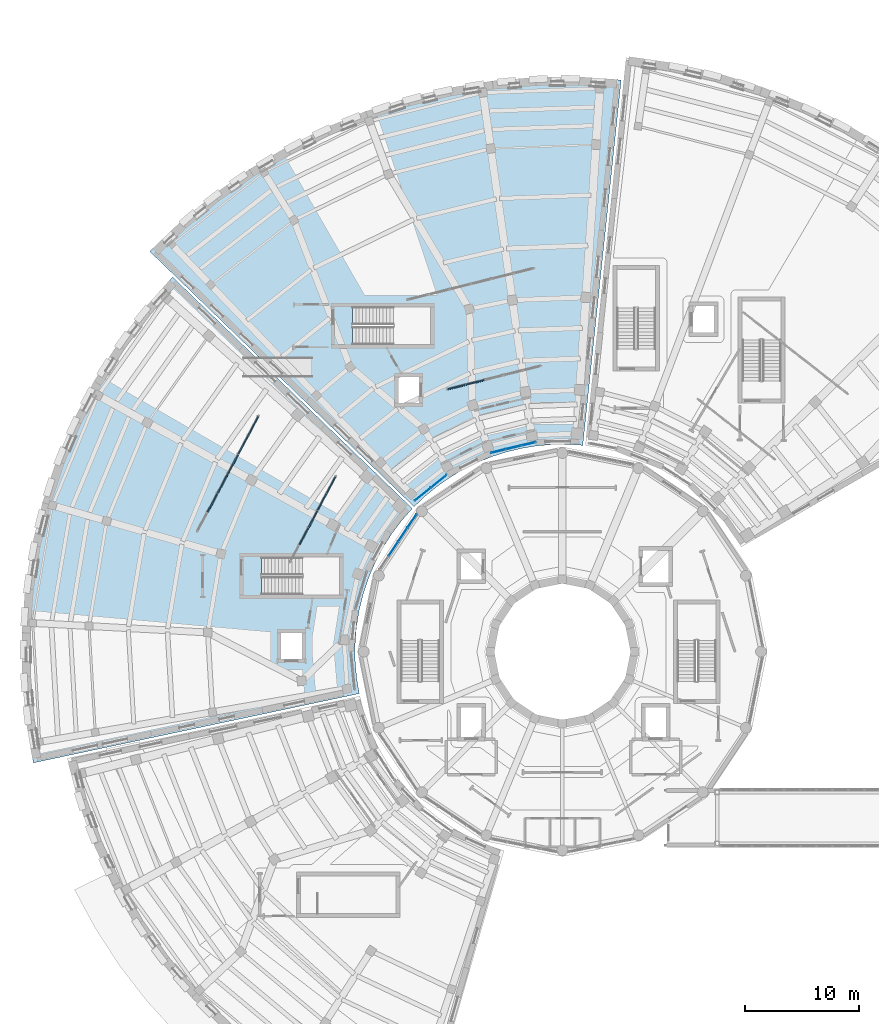
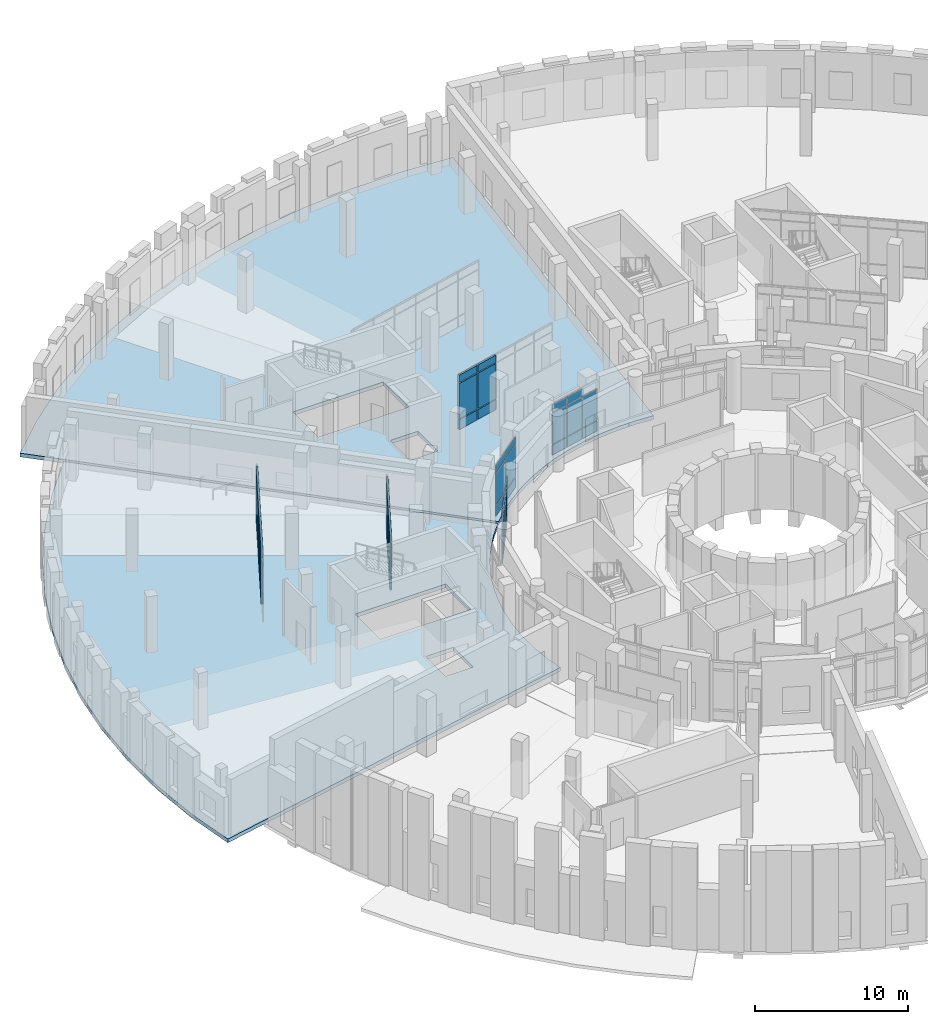
# One storey, part 53 of 89: 56 plates, 2 slabs, 6 elements without a shape of their own.
"""IFC4 building model written with IfcOpenShell, lengths in metres."""

from ifc_helpers import new_model, si_unit, direction, frame, origin, origin_2d, place, context, subcontext, project, spatial, polyline, rectangle, outline, extrude, material, layer, layer_set, type_object, element, aggregate, save


model = new_model("IFC4")

# Units and contexts
model_context = context("Model", 3, precision=1e-05, world=origin(), true_north=direction((0.0, 1.0)))
body_context = subcontext(model_context, "Body", "Model", "MODEL_VIEW")
ifc_project = project(units=[si_unit("LENGTHUNIT", "METRE"), si_unit("AREAUNIT", "SQUARE_METRE"), si_unit("VOLUMEUNIT", "CUBIC_METRE"), si_unit("PLANEANGLEUNIT", "RADIAN"), si_unit("MASSUNIT", "GRAM", prefix="KILO")], contexts=[model_context])

# Site, building, storey
site_placement = place(None, origin())
site = spatial("IfcSite", under=ifc_project, at=site_placement, CompositionType="ELEMENT")
building_placement = place(site_placement, origin())
building = spatial("IfcBuilding", under=site, at=building_placement, Name="Soyqirgoq Riverine Aquarium", CompositionType="ELEMENT")
storey_placement = place(building_placement, frame((0.0, 0.0, 5.39990234375)))
storey = spatial("IfcBuildingStorey", under=building, at=storey_placement, Name="L02", CompositionType="ELEMENT", Elevation=5.39990234375)

# Curtain wall, plates
ifc_material_1 = material(Name="Cast polymethyl methacrylate PMMA Habitat Viewing Glazing", Category="glass")
curtain_wall_type_1 = type_object("IfcCurtainWallType", Name="CW_Interior_TankVitrine", PredefinedType="NOTDEFINED", material=ifc_material_1)
curtain_wall_1_placement = place(storey_placement, origin())
curtain_wall_1 = element("IfcCurtainWall", 1, at=curtain_wall_1_placement, inside=storey, type_object=curtain_wall_type_1, Name="V3 L02 Curtain Wall 149", PredefinedType="NOTDEFINED")
ifc_material_2 = material(Name="Cast polymethyl methacrylate PMMA", Category="glass")
ifc_layer_1 = layer(ifc_material_2, 0.1201171875)
ifc_layer_set_1 = layer_set([ifc_layer_1], Name="Cast polymethyl methacrylate PMMA")
plate_type_1 = type_object("IfcPlateType", Name="CWAcrylicPanel_120", PredefinedType="CURTAIN_PANEL", material=ifc_layer_set_1)
plate_1_placement = place(storey_placement, frame((35.684326171875, 71.653564453125, 0.074951171875), z_axis=(0.0, 0.0, 1.0), x_axis=(-0.469472953199, -0.882946853562, 0.0)))
plate_1 = element("IfcPlate", 2, at=plate_1_placement, type_object=plate_type_1, Name="CW-07 panel 1.1", PredefinedType="CURTAIN_PANEL", context=body_context, shape_type="SweptSolid", body=[
    extrude(rectangle(XDim=1.59033203125, YDim=0.1201171875, at=origin_2d()), origin(), (0.0, 0.0, 1.0), 0.78759765625),
])
plate_2_placement = place(storey_placement, frame((35.684326171875, 71.653564453125, 0.9375), z_axis=(0.0, 0.0, 1.0), x_axis=(-0.469472953199, -0.882946853562, 0.0)))
plate_2 = element("IfcPlate", 3, at=plate_2_placement, type_object=plate_type_1, Name="CW-07 panel 1.2", PredefinedType="CURTAIN_PANEL", context=body_context, shape_type="SweptSolid", body=[
    extrude(rectangle(XDim=1.59033203125, YDim=0.1201171875, at=origin_2d()), origin(), (0.0, 0.0, 1.0), 2.844970703125),
])
plate_3_placement = place(storey_placement, frame((35.684326171875, 71.653564453125, 3.857666015625), z_axis=(0.0, 0.0, 1.0), x_axis=(-0.469472953199, -0.882946853562, 0.0)))
plate_3 = element("IfcPlate", 4, at=plate_3_placement, type_object=plate_type_1, Name="CW-07 panel 1.3", PredefinedType="CURTAIN_PANEL", context=body_context, shape_type="SweptSolid", body=[
    extrude(rectangle(XDim=1.59033203125, YDim=0.1201171875, at=origin_2d()), origin(), (0.0, 0.0, 1.0), 0.58740234375),
])
plate_4_placement = place(storey_placement, frame((34.890625, 70.1611328125, 0.074951171875), z_axis=(0.0, 0.0, 1.0), x_axis=(-0.469472953199, -0.882946853562, 0.0)))
plate_4 = element("IfcPlate", 5, at=plate_4_placement, type_object=plate_type_1, Name="CW-07 panel 2.1", PredefinedType="CURTAIN_PANEL", context=body_context, shape_type="SweptSolid", body=[
    extrude(rectangle(XDim=1.63037109375, YDim=0.1201171875, at=origin_2d()), origin(), (0.0, 0.0, 1.0), 0.78759765625),
])
plate_5_placement = place(storey_placement, frame((34.890625, 70.1611328125, 0.9375), z_axis=(0.0, 0.0, 1.0), x_axis=(-0.469472953199, -0.882946853562, 0.0)))
plate_5 = element("IfcPlate", 6, at=plate_5_placement, type_object=plate_type_1, Name="CW-07 panel 2.2", PredefinedType="CURTAIN_PANEL", context=body_context, shape_type="SweptSolid", body=[
    extrude(rectangle(XDim=1.63037109375, YDim=0.1201171875, at=origin_2d()), origin(), (0.0, 0.0, 1.0), 2.844970703125),
])
plate_6_placement = place(storey_placement, frame((34.890625, 70.1611328125, 3.857666015625), z_axis=(0.0, 0.0, 1.0), x_axis=(-0.469472953199, -0.882946853562, 0.0)))
plate_6 = element("IfcPlate", 7, at=plate_6_placement, type_object=plate_type_1, Name="CW-07 panel 2.3", PredefinedType="CURTAIN_PANEL", context=body_context, shape_type="SweptSolid", body=[
    extrude(rectangle(XDim=1.63037109375, YDim=0.1201171875, at=origin_2d()), origin(), (0.0, 0.0, 1.0), 0.58740234375),
])
plate_7_placement = place(storey_placement, frame((34.087646484375, 68.65087890625, 0.074951171875), z_axis=(0.0, 0.0, 1.0), x_axis=(-0.469472953199, -0.882946853562, 0.0)))
plate_7 = element("IfcPlate", 8, at=plate_7_placement, type_object=plate_type_1, Name="CW-07 panel 3.1", PredefinedType="CURTAIN_PANEL", context=body_context, shape_type="SweptSolid", body=[
    extrude(rectangle(XDim=1.63037109375, YDim=0.1201171875, at=origin_2d()), origin(), (0.0, 0.0, 1.0), 0.78759765625),
])
plate_8_placement = place(storey_placement, frame((34.087646484375, 68.65087890625, 0.9375), z_axis=(0.0, 0.0, 1.0), x_axis=(-0.469472953199, -0.882946853562, 0.0)))
plate_8 = element("IfcPlate", 9, at=plate_8_placement, type_object=plate_type_1, Name="CW-07 panel 3.2", PredefinedType="CURTAIN_PANEL", context=body_context, shape_type="SweptSolid", body=[
    extrude(rectangle(XDim=1.63037109375, YDim=0.1201171875, at=origin_2d()), origin(), (0.0, 0.0, 1.0), 2.844970703125),
])
plate_9_placement = place(storey_placement, frame((34.087646484375, 68.65087890625, 3.857666015625), z_axis=(0.0, 0.0, 1.0), x_axis=(-0.469472953199, -0.882946853562, 0.0)))
plate_9 = element("IfcPlate", 10, at=plate_9_placement, type_object=plate_type_1, Name="CW-07 panel 3.3", PredefinedType="CURTAIN_PANEL", context=body_context, shape_type="SweptSolid", body=[
    extrude(rectangle(XDim=1.63037109375, YDim=0.1201171875, at=origin_2d()), origin(), (0.0, 0.0, 1.0), 0.58740234375),
])
plate_10_placement = place(storey_placement, frame((33.28466796875, 67.140869140625, 0.074951171875), z_axis=(0.0, 0.0, 1.0), x_axis=(-0.469472953199, -0.882946853562, 0.0)))
plate_10 = element("IfcPlate", 11, at=plate_10_placement, type_object=plate_type_1, Name="CW-07 panel 4.1", PredefinedType="CURTAIN_PANEL", context=body_context, shape_type="SweptSolid", body=[
    extrude(rectangle(XDim=1.63037109375, YDim=0.1201171875, at=origin_2d()), origin(), (0.0, 0.0, 1.0), 0.78759765625),
])
plate_11_placement = place(storey_placement, frame((33.28466796875, 67.140869140625, 0.9375), z_axis=(0.0, 0.0, 1.0), x_axis=(-0.469472953199, -0.882946853562, 0.0)))
plate_11 = element("IfcPlate", 12, at=plate_11_placement, type_object=plate_type_1, Name="CW-07 panel 4.2", PredefinedType="CURTAIN_PANEL", context=body_context, shape_type="SweptSolid", body=[
    extrude(rectangle(XDim=1.63037109375, YDim=0.1201171875, at=origin_2d()), origin(), (0.0, 0.0, 1.0), 2.844970703125),
])
plate_12_placement = place(storey_placement, frame((33.28466796875, 67.140869140625, 3.857666015625), z_axis=(0.0, 0.0, 1.0), x_axis=(-0.469472953199, -0.882946853562, 0.0)))
plate_12 = element("IfcPlate", 13, at=plate_12_placement, type_object=plate_type_1, Name="CW-07 panel 4.3", PredefinedType="CURTAIN_PANEL", context=body_context, shape_type="SweptSolid", body=[
    extrude(rectangle(XDim=1.63037109375, YDim=0.1201171875, at=origin_2d()), origin(), (0.0, 0.0, 1.0), 0.58740234375),
])
aggregate(curtain_wall_1, [plate_1, plate_2, plate_3, plate_4, plate_5, plate_6, plate_7, plate_8, plate_9, plate_10, plate_11, plate_12])

curtain_wall_2_placement = place(storey_placement, origin())
curtain_wall_2 = element("IfcCurtainWall", 14, at=curtain_wall_2_placement, inside=storey, type_object=curtain_wall_type_1, Name="V3 L02 Curtain Wall 150", PredefinedType="NOTDEFINED")
plate_13_placement = place(storey_placement, frame((28.857421875, 76.8544921875, 0.074951171875), z_axis=(0.0, 0.0, 1.0), x_axis=(-0.46947455655, -0.88294600104, 0.0)))
plate_13 = element("IfcPlate", 15, at=plate_13_placement, type_object=plate_type_1, Name="CW-07 panel 1.1", PredefinedType="CURTAIN_PANEL", context=body_context, shape_type="SweptSolid", body=[
    extrude(rectangle(XDim=1.80322265625, YDim=0.1201171875, at=origin_2d()), origin(), (0.0, 0.0, 1.0), 0.78759765625),
])
plate_14_placement = place(storey_placement, frame((28.857421875, 76.8544921875, 0.9375), z_axis=(0.0, 0.0, 1.0), x_axis=(-0.46947455655, -0.88294600104, 0.0)))
plate_14 = element("IfcPlate", 16, at=plate_14_placement, type_object=plate_type_1, Name="CW-07 panel 1.2", PredefinedType="CURTAIN_PANEL", context=body_context, shape_type="SweptSolid", body=[
    extrude(rectangle(XDim=1.80322265625, YDim=0.1201171875, at=origin_2d()), origin(), (0.0, 0.0, 1.0), 2.844970703125),
])
plate_15_placement = place(storey_placement, frame((28.857421875, 76.8544921875, 3.857666015625), z_axis=(0.0, 0.0, 1.0), x_axis=(-0.46947455655, -0.88294600104, 0.0)))
plate_15 = element("IfcPlate", 17, at=plate_15_placement, type_object=plate_type_1, Name="CW-07 panel 1.3", PredefinedType="CURTAIN_PANEL", context=body_context, shape_type="SweptSolid", body=[
    extrude(rectangle(XDim=1.80322265625, YDim=0.1201171875, at=origin_2d()), origin(), (0.0, 0.0, 1.0), 0.58740234375),
])
plate_16_placement = place(storey_placement, frame((27.964111328125, 75.174072265625, 0.074951171875), z_axis=(0.0, 0.0, 1.0), x_axis=(-0.46947455655, -0.88294600104, 0.0)))
plate_16 = element("IfcPlate", 18, at=plate_16_placement, type_object=plate_type_1, Name="CW-07 panel 2.1", PredefinedType="CURTAIN_PANEL", context=body_context, shape_type="SweptSolid", body=[
    extrude(rectangle(XDim=1.843017578125, YDim=0.1201171875, at=origin_2d()), origin(), (0.0, 0.0, 1.0), 0.78759765625),
])
plate_17_placement = place(storey_placement, frame((27.964111328125, 75.174072265625, 0.9375), z_axis=(0.0, 0.0, 1.0), x_axis=(-0.46947455655, -0.88294600104, 0.0)))
plate_17 = element("IfcPlate", 19, at=plate_17_placement, type_object=plate_type_1, Name="CW-07 panel 2.2", PredefinedType="CURTAIN_PANEL", context=body_context, shape_type="SweptSolid", body=[
    extrude(rectangle(XDim=1.843017578125, YDim=0.1201171875, at=origin_2d()), origin(), (0.0, 0.0, 1.0), 2.844970703125),
])
plate_18_placement = place(storey_placement, frame((27.964111328125, 75.174072265625, 3.857666015625), z_axis=(0.0, 0.0, 1.0), x_axis=(-0.46947455655, -0.88294600104, 0.0)))
plate_18 = element("IfcPlate", 20, at=plate_18_placement, type_object=plate_type_1, Name="CW-07 panel 2.3", PredefinedType="CURTAIN_PANEL", context=body_context, shape_type="SweptSolid", body=[
    extrude(rectangle(XDim=1.843017578125, YDim=0.1201171875, at=origin_2d()), origin(), (0.0, 0.0, 1.0), 0.58740234375),
])
plate_19_placement = place(storey_placement, frame((27.061279296875, 73.47607421875, 0.074951171875), z_axis=(0.0, 0.0, 1.0), x_axis=(-0.46947455655, -0.88294600104, 0.0)))
plate_19 = element("IfcPlate", 21, at=plate_19_placement, type_object=plate_type_1, Name="CW-07 panel 3.1", PredefinedType="CURTAIN_PANEL", context=body_context, shape_type="SweptSolid", body=[
    extrude(rectangle(XDim=1.843017578125, YDim=0.1201171875, at=origin_2d()), origin(), (0.0, 0.0, 1.0), 0.78759765625),
])
plate_20_placement = place(storey_placement, frame((27.061279296875, 73.47607421875, 0.9375), z_axis=(0.0, 0.0, 1.0), x_axis=(-0.46947455655, -0.88294600104, 0.0)))
plate_20 = element("IfcPlate", 22, at=plate_20_placement, type_object=plate_type_1, Name="CW-07 panel 3.2", PredefinedType="CURTAIN_PANEL", context=body_context, shape_type="SweptSolid", body=[
    extrude(rectangle(XDim=1.843017578125, YDim=0.1201171875, at=origin_2d()), origin(), (0.0, 0.0, 1.0), 2.844970703125),
])
plate_21_placement = place(storey_placement, frame((27.061279296875, 73.47607421875, 3.857666015625), z_axis=(0.0, 0.0, 1.0), x_axis=(-0.46947455655, -0.88294600104, 0.0)))
plate_21 = element("IfcPlate", 23, at=plate_21_placement, type_object=plate_type_1, Name="CW-07 panel 3.3", PredefinedType="CURTAIN_PANEL", context=body_context, shape_type="SweptSolid", body=[
    extrude(rectangle(XDim=1.843017578125, YDim=0.1201171875, at=origin_2d()), origin(), (0.0, 0.0, 1.0), 0.58740234375),
])
plate_22_placement = place(storey_placement, frame((26.158203125, 71.778076171875, 0.074951171875), z_axis=(0.0, 0.0, 1.0), x_axis=(-0.46947455655, -0.88294600104, 0.0)))
plate_22 = element("IfcPlate", 24, at=plate_22_placement, type_object=plate_type_1, Name="CW-07 panel 4.1", PredefinedType="CURTAIN_PANEL", context=body_context, shape_type="SweptSolid", body=[
    extrude(rectangle(XDim=1.843017578125, YDim=0.1201171875, at=origin_2d()), origin(), (0.0, 0.0, 1.0), 0.78759765625),
])
plate_23_placement = place(storey_placement, frame((26.158203125, 71.778076171875, 0.9375), z_axis=(0.0, 0.0, 1.0), x_axis=(-0.46947455655, -0.88294600104, 0.0)))
plate_23 = element("IfcPlate", 25, at=plate_23_placement, type_object=plate_type_1, Name="CW-07 panel 4.2", PredefinedType="CURTAIN_PANEL", context=body_context, shape_type="SweptSolid", body=[
    extrude(rectangle(XDim=1.843017578125, YDim=0.1201171875, at=origin_2d()), origin(), (0.0, 0.0, 1.0), 2.844970703125),
])
plate_24_placement = place(storey_placement, frame((26.158203125, 71.778076171875, 3.857666015625), z_axis=(0.0, 0.0, 1.0), x_axis=(-0.46947455655, -0.88294600104, 0.0)))
plate_24 = element("IfcPlate", 26, at=plate_24_placement, type_object=plate_type_1, Name="CW-07 panel 4.3", PredefinedType="CURTAIN_PANEL", context=body_context, shape_type="SweptSolid", body=[
    extrude(rectangle(XDim=1.843017578125, YDim=0.1201171875, at=origin_2d()), origin(), (0.0, 0.0, 1.0), 0.58740234375),
])
plate_25_placement = place(storey_placement, frame((25.25537109375, 70.080078125, 0.074951171875), z_axis=(0.0, 0.0, 1.0), x_axis=(-0.46947455655, -0.88294600104, 0.0)))
plate_25 = element("IfcPlate", 27, at=plate_25_placement, type_object=plate_type_1, Name="CW-07 panel 5.1", PredefinedType="CURTAIN_PANEL", context=body_context, shape_type="SweptSolid", body=[
    extrude(rectangle(XDim=1.843017578125, YDim=0.1201171875, at=origin_2d()), origin(), (0.0, 0.0, 1.0), 0.78759765625),
])
plate_26_placement = place(storey_placement, frame((25.25537109375, 70.080078125, 0.9375), z_axis=(0.0, 0.0, 1.0), x_axis=(-0.46947455655, -0.88294600104, 0.0)))
plate_26 = element("IfcPlate", 28, at=plate_26_placement, type_object=plate_type_1, Name="CW-07 panel 5.2", PredefinedType="CURTAIN_PANEL", context=body_context, shape_type="SweptSolid", body=[
    extrude(rectangle(XDim=1.843017578125, YDim=0.1201171875, at=origin_2d()), origin(), (0.0, 0.0, 1.0), 2.844970703125),
])
plate_27_placement = place(storey_placement, frame((25.25537109375, 70.080078125, 3.857666015625), z_axis=(0.0, 0.0, 1.0), x_axis=(-0.46947455655, -0.88294600104, 0.0)))
plate_27 = element("IfcPlate", 29, at=plate_27_placement, type_object=plate_type_1, Name="CW-07 panel 5.3", PredefinedType="CURTAIN_PANEL", context=body_context, shape_type="SweptSolid", body=[
    extrude(rectangle(XDim=1.843017578125, YDim=0.1201171875, at=origin_2d()), origin(), (0.0, 0.0, 1.0), 0.58740234375),
])
aggregate(curtain_wall_2, [plate_13, plate_14, plate_15, plate_16, plate_17, plate_18, plate_19, plate_20, plate_21, plate_22, plate_23, plate_24, plate_25, plate_26, plate_27])

curtain_wall_3_placement = place(storey_placement, origin())
curtain_wall_3 = element("IfcCurtainWall", 30, at=curtain_wall_3_placement, inside=storey, type_object=curtain_wall_type_1, Name="V4 L02 Curtain Wall 153", PredefinedType="NOTDEFINED")
plate_28_placement = place(storey_placement, frame((48.336669921875, 80.666259765625, 0.074951171875), z_axis=(0.0, 0.0, 1.0), x_axis=(-0.970295694292, -0.241922023881, 0.0)))
plate_28 = element("IfcPlate", 31, at=plate_28_placement, type_object=plate_type_1, Name="CW-07 panel 4.1", PredefinedType="CURTAIN_PANEL", context=body_context, shape_type="SweptSolid", body=[
    extrude(rectangle(XDim=1.63037109375, YDim=0.1201171875, at=origin_2d()), origin(), (0.0, 0.0, 1.0), 0.78759765625),
])
plate_29_placement = place(storey_placement, frame((48.336669921875, 80.666259765625, 0.9375), z_axis=(0.0, 0.0, 1.0), x_axis=(-0.970295694292, -0.241922023881, 0.0)))
plate_29 = element("IfcPlate", 32, at=plate_29_placement, type_object=plate_type_1, Name="CW-07 panel 4.2", PredefinedType="CURTAIN_PANEL", context=body_context, shape_type="SweptSolid", body=[
    extrude(rectangle(XDim=1.63037109375, YDim=0.1201171875, at=origin_2d()), origin(), (0.0, 0.0, 1.0), 2.824951171875),
])
plate_30_placement = place(storey_placement, frame((48.336669921875, 80.666259765625, 3.837646484375), z_axis=(0.0, 0.0, 1.0), x_axis=(-0.970295694292, -0.241922023881, 0.0)))
plate_30 = element("IfcPlate", 33, at=plate_30_placement, type_object=plate_type_1, Name="CW-07 panel 4.3", PredefinedType="CURTAIN_PANEL", context=body_context, shape_type="SweptSolid", body=[
    extrude(rectangle(XDim=1.63037109375, YDim=0.1201171875, at=origin_2d()), origin(), (0.0, 0.0, 1.0), 0.58740234375),
])
plate_31_placement = place(storey_placement, frame((46.6962890625, 80.25732421875, 0.074951171875), z_axis=(0.0, 0.0, 1.0), x_axis=(-0.970295694292, -0.241922023881, 0.0)))
plate_31 = element("IfcPlate", 34, at=plate_31_placement, type_object=plate_type_1, Name="CW-07 panel 5.1", PredefinedType="CURTAIN_PANEL", context=body_context, shape_type="SweptSolid", body=[
    extrude(rectangle(XDim=1.59033203125, YDim=0.1201171875, at=origin_2d()), origin(), (0.0, 0.0, 1.0), 0.78759765625),
])
plate_32_placement = place(storey_placement, frame((46.6962890625, 80.25732421875, 0.9375), z_axis=(0.0, 0.0, 1.0), x_axis=(-0.970295694292, -0.241922023881, 0.0)))
plate_32 = element("IfcPlate", 35, at=plate_32_placement, type_object=plate_type_1, Name="CW-07 panel 5.2", PredefinedType="CURTAIN_PANEL", context=body_context, shape_type="SweptSolid", body=[
    extrude(rectangle(XDim=1.59033203125, YDim=0.1201171875, at=origin_2d()), origin(), (0.0, 0.0, 1.0), 2.824951171875),
])
plate_33_placement = place(storey_placement, frame((46.6962890625, 80.25732421875, 3.837646484375), z_axis=(0.0, 0.0, 1.0), x_axis=(-0.970295694292, -0.241922023881, 0.0)))
plate_33 = element("IfcPlate", 36, at=plate_33_placement, type_object=plate_type_1, Name="CW-07 panel 5.3", PredefinedType="CURTAIN_PANEL", context=body_context, shape_type="SweptSolid", body=[
    extrude(rectangle(XDim=1.59033203125, YDim=0.1201171875, at=origin_2d()), origin(), (0.0, 0.0, 1.0), 0.58740234375),
])
aggregate(curtain_wall_3, [plate_28, plate_29, plate_30, plate_31, plate_32, plate_33])

ifc_material_3 = material(Name="Anodised aluminium thermally broken double low-E glazing", Category="aluminium")
curtain_wall_type_2 = type_object("IfcCurtainWallType", Name="CW_Wedge_NorthBay", PredefinedType="NOTDEFINED", material=ifc_material_3)
curtain_wall_4_placement = place(storey_placement, origin())
curtain_wall_4 = element("IfcCurtainWall", 37, at=curtain_wall_4_placement, inside=storey, type_object=curtain_wall_type_2, Name="V4 L02 Curtain Wall 088", PredefinedType="NOTDEFINED")
ifc_material_4 = material(Name="Triple insulated laminated low-E glass", Category="glass")
ifc_layer_2 = layer(ifc_material_4, 0.0458984375)
ifc_layer_set_2 = layer_set([ifc_layer_2], Name="Triple insulated laminated low-E glass")
plate_type_2 = type_object("IfcPlateType", Name="CWGlazedPanel_46", PredefinedType="CURTAIN_PANEL", material=ifc_layer_set_2)
plate_34_placement = place(storey_placement, frame((53.013671875, 75.25830078125, 0.074951171875), z_axis=(0.0, 0.0, 1.0), x_axis=(-0.972370572891, -0.233442646008, 0.0)))
plate_34 = element("IfcPlate", 38, at=plate_34_placement, type_object=plate_type_2, Name="CW-03 panel 1.1", PredefinedType="CURTAIN_PANEL", context=body_context, shape_type="SweptSolid", body=[
    extrude(rectangle(XDim=1.27734375, YDim=0.0458984375, at=origin_2d()), origin(), (0.0, 0.0, 1.0), 0.78759765625),
])
plate_35_placement = place(storey_placement, frame((53.013671875, 75.25830078125, 0.9375), z_axis=(0.0, 0.0, 1.0), x_axis=(-0.972370572891, -0.233442646008, 0.0)))
plate_35 = element("IfcPlate", 39, at=plate_35_placement, type_object=plate_type_2, Name="CW-03 panel 1.2", PredefinedType="CURTAIN_PANEL", context=body_context, shape_type="SweptSolid", body=[
    extrude(rectangle(XDim=1.27734375, YDim=0.0458984375, at=origin_2d()), origin(), (0.0, 0.0, 1.0), 2.47509765625),
])
plate_36_placement = place(storey_placement, frame((51.692626953125, 74.941162109375, 0.074951171875), z_axis=(0.0, 0.0, 1.0), x_axis=(-0.972370572891, -0.233442646008, 0.0)))
plate_36 = element("IfcPlate", 40, at=plate_36_placement, type_object=plate_type_2, Name="CW-03 panel 2.1", PredefinedType="CURTAIN_PANEL", context=body_context, shape_type="SweptSolid", body=[
    extrude(rectangle(XDim=1.309814453125, YDim=0.0458984375, at=origin_2d()), origin(), (0.0, 0.0, 1.0), 0.78759765625),
])
plate_37_placement = place(storey_placement, frame((51.692626953125, 74.941162109375, 0.9375), z_axis=(0.0, 0.0, 1.0), x_axis=(-0.972370572891, -0.233442646008, 0.0)))
plate_37 = element("IfcPlate", 41, at=plate_37_placement, type_object=plate_type_2, Name="CW-03 panel 2.2", PredefinedType="CURTAIN_PANEL", context=body_context, shape_type="SweptSolid", body=[
    extrude(rectangle(XDim=1.309814453125, YDim=0.0458984375, at=origin_2d()), origin(), (0.0, 0.0, 1.0), 2.47509765625),
])
plate_38_placement = place(storey_placement, frame((51.692626953125, 74.941162109375, 3.487548828125), z_axis=(0.0, 0.0, 1.0), x_axis=(-0.972370572891, -0.233442646008, 0.0)))
plate_38 = element("IfcPlate", 42, at=plate_38_placement, type_object=plate_type_2, Name="CW-03 panel 2.3", PredefinedType="CURTAIN_PANEL", context=body_context, shape_type="SweptSolid", body=[
    extrude(rectangle(XDim=1.309814453125, YDim=0.0458984375, at=origin_2d()), origin(), (0.0, 0.0, 1.0), 0.58740234375),
])
plate_39_placement = place(storey_placement, frame((50.37158203125, 74.6240234375, 0.074951171875), z_axis=(0.0, 0.0, 1.0), x_axis=(-0.972370572891, -0.233442646008, 0.0)))
plate_39 = element("IfcPlate", 43, at=plate_39_placement, type_object=plate_type_2, Name="CW-03 panel 3.1", PredefinedType="CURTAIN_PANEL", context=body_context, shape_type="SweptSolid", body=[
    extrude(rectangle(XDim=1.27734375, YDim=0.0458984375, at=origin_2d()), origin(), (0.0, 0.0, 1.0), 0.78759765625),
])
plate_40_placement = place(storey_placement, frame((50.37158203125, 74.6240234375, 0.9375), z_axis=(0.0, 0.0, 1.0), x_axis=(-0.972370572891, -0.233442646008, 0.0)))
plate_40 = element("IfcPlate", 44, at=plate_40_placement, type_object=plate_type_2, Name="CW-03 panel 3.2", PredefinedType="CURTAIN_PANEL", context=body_context, shape_type="SweptSolid", body=[
    extrude(rectangle(XDim=1.27734375, YDim=0.0458984375, at=origin_2d()), origin(), (0.0, 0.0, 1.0), 2.47509765625),
])
plate_41_placement = place(storey_placement, frame((50.37158203125, 74.6240234375, 3.487548828125), z_axis=(0.0, 0.0, 1.0), x_axis=(-0.972370572891, -0.233442646008, 0.0)))
plate_41 = element("IfcPlate", 45, at=plate_41_placement, type_object=plate_type_2, Name="CW-03 panel 3.3", PredefinedType="CURTAIN_PANEL", context=body_context, shape_type="SweptSolid", body=[
    extrude(rectangle(XDim=1.27734375, YDim=0.0458984375, at=origin_2d()), origin(), (0.0, 0.0, 1.0), 0.58740234375),
])
aggregate(curtain_wall_4, [plate_34, plate_35, plate_36, plate_37, plate_38, plate_39, plate_40, plate_41])

curtain_wall_5_placement = place(storey_placement, origin())
curtain_wall_5 = element("IfcCurtainWall", 46, at=curtain_wall_5_placement, inside=storey, type_object=curtain_wall_type_2, Name="V4 L02 Curtain Wall 089", PredefinedType="NOTDEFINED")
plate_42_placement = place(storey_placement, frame((45.129638671875, 71.962646484375, 0.074951171875), z_axis=(0.0, 0.0, 1.0), x_axis=(-0.777490671073, -0.628894471588, 0.0)))
plate_42 = element("IfcPlate", 47, at=plate_42_placement, type_object=plate_type_2, Name="CW-03 panel 1.1", PredefinedType="CURTAIN_PANEL", context=body_context, shape_type="SweptSolid", body=[
    extrude(rectangle(XDim=1.7353515625, YDim=0.0458984375, at=origin_2d()), origin(), (0.0, 0.0, 1.0), 0.78759765625),
])
plate_43_placement = place(storey_placement, frame((45.129638671875, 71.962646484375, 0.9375), z_axis=(0.0, 0.0, 1.0), x_axis=(-0.777490671073, -0.628894471588, 0.0)))
plate_43 = element("IfcPlate", 48, at=plate_43_placement, type_object=plate_type_2, Name="CW-03 panel 1.2", PredefinedType="CURTAIN_PANEL", context=body_context, shape_type="SweptSolid", body=[
    extrude(rectangle(XDim=1.7353515625, YDim=0.0458984375, at=origin_2d()), origin(), (0.0, 0.0, 1.0), 2.47509765625),
])
plate_44_placement = place(storey_placement, frame((45.129638671875, 71.962646484375, 3.487548828125), z_axis=(0.0, 0.0, 1.0), x_axis=(-0.777490671073, -0.628894471588, 0.0)))
plate_44 = element("IfcPlate", 49, at=plate_44_placement, type_object=plate_type_2, Name="CW-03 panel 1.3", PredefinedType="CURTAIN_PANEL", context=body_context, shape_type="SweptSolid", body=[
    extrude(rectangle(XDim=1.7353515625, YDim=0.0458984375, at=origin_2d()), origin(), (0.0, 0.0, 1.0), 0.58740234375),
])
plate_45_placement = place(storey_placement, frame((43.72998046875, 70.83056640625, 0.074951171875), z_axis=(0.0, 0.0, 1.0), x_axis=(-0.777490671073, -0.628894471588, 0.0)))
plate_45 = element("IfcPlate", 50, at=plate_45_placement, type_object=plate_type_2, Name="CW-03 panel 2.1", PredefinedType="CURTAIN_PANEL", context=body_context, shape_type="SweptSolid", body=[
    extrude(rectangle(XDim=1.7353515625, YDim=0.0458984375, at=origin_2d()), origin(), (0.0, 0.0, 1.0), 0.78759765625),
])
plate_46_placement = place(storey_placement, frame((43.72998046875, 70.83056640625, 0.9375), z_axis=(0.0, 0.0, 1.0), x_axis=(-0.777490671073, -0.628894471588, 0.0)))
plate_46 = element("IfcPlate", 51, at=plate_46_placement, type_object=plate_type_2, Name="CW-03 panel 2.2", PredefinedType="CURTAIN_PANEL", context=body_context, shape_type="SweptSolid", body=[
    extrude(rectangle(XDim=1.7353515625, YDim=0.0458984375, at=origin_2d()), origin(), (0.0, 0.0, 1.0), 2.47509765625),
])
plate_47_placement = place(storey_placement, frame((43.72998046875, 70.83056640625, 3.487548828125), z_axis=(0.0, 0.0, 1.0), x_axis=(-0.777490671073, -0.628894471588, 0.0)))
plate_47 = element("IfcPlate", 52, at=plate_47_placement, type_object=plate_type_2, Name="CW-03 panel 2.3", PredefinedType="CURTAIN_PANEL", context=body_context, shape_type="SweptSolid", body=[
    extrude(rectangle(XDim=1.7353515625, YDim=0.0458984375, at=origin_2d()), origin(), (0.0, 0.0, 1.0), 0.58740234375),
])
aggregate(curtain_wall_5, [plate_42, plate_43, plate_44, plate_45, plate_46, plate_47])

ifc_material_5 = material(Name="Anodised aluminium thermally broken triple low-E glazing", Category="aluminium")
curtain_wall_type_3 = type_object("IfcCurtainWallType", Name="CW_DrumGallery_Unitised", PredefinedType="NOTDEFINED", material=ifc_material_5)
curtain_wall_6_placement = place(storey_placement, origin())
curtain_wall_6 = element("IfcCurtainWall", 53, at=curtain_wall_6_placement, inside=storey, type_object=curtain_wall_type_3, Name="V1 L02 Curtain Wall 024", PredefinedType="NOTDEFINED")
ifc_material_6 = material(Name="Insulated shadow-box aluminium spandrel panel", Category="aluminium")
ifc_layer_3 = layer(ifc_material_6, 0.06005859375)
ifc_layer_set_3 = layer_set([ifc_layer_3], Name="Insulated shadow-box aluminium spandrel panel")
plate_type_3 = type_object("IfcPlateType", Name="CWSpandrelPanel_60", PredefinedType="CURTAIN_PANEL", material=ifc_layer_set_3)
plate_48_placement = place(storey_placement, frame((42.79638671875, 68.486328125, 0.074951171875), z_axis=(0.0, 0.0, 1.0), x_axis=(-0.5555648253, -0.8314732256, 0.0)))
plate_48 = element("IfcPlate", 54, at=plate_48_placement, type_object=plate_type_3, Name="CW-01 panel 1.1", PredefinedType="CURTAIN_PANEL", context=body_context, shape_type="SweptSolid", body=[
    extrude(rectangle(XDim=1.389892578125, YDim=0.06005859375, at=origin_2d()), origin(), (0.0, 0.0, 1.0), 0.78759765625),
])
plate_49_placement = place(storey_placement, frame((42.79638671875, 68.486328125, 0.937744140625), z_axis=(0.0, 0.0, 1.0), x_axis=(-0.5555648253, -0.8314732256, 0.0)))
plate_49 = element("IfcPlate", 55, at=plate_49_placement, type_object=plate_type_3, Name="CW-01 panel 1.2", PredefinedType="CURTAIN_PANEL", context=body_context, shape_type="SweptSolid", body=[
    extrude(rectangle(XDim=1.389892578125, YDim=0.06005859375, at=origin_2d()), origin(), (0.0, 0.0, 1.0), 2.27490234375),
])
plate_50_placement = place(storey_placement, frame((42.79638671875, 68.486328125, 3.28759765625), z_axis=(0.0, 0.0, 1.0), x_axis=(-0.5555648253, -0.8314732256, 0.0)))
plate_50 = element("IfcPlate", 56, at=plate_50_placement, type_object=plate_type_3, Name="CW-01 panel 1.3", PredefinedType="CURTAIN_PANEL", context=body_context, shape_type="SweptSolid", body=[
    extrude(rectangle(XDim=1.389892578125, YDim=0.06005859375, at=origin_2d()), origin(), (0.0, 0.0, 1.0), 0.58740234375),
])
plate_51_placement = place(storey_placement, frame((41.97900390625, 67.262939453125, 0.074951171875), z_axis=(0.0, 0.0, 1.0), x_axis=(-0.5555648253, -0.8314732256, 0.0)))
plate_51 = element("IfcPlate", 57, at=plate_51_placement, type_object=plate_type_3, Name="CW-01 panel 2.1", PredefinedType="CURTAIN_PANEL", context=body_context, shape_type="SweptSolid", body=[
    extrude(rectangle(XDim=1.42236328125, YDim=0.06005859375, at=origin_2d()), origin(), (0.0, 0.0, 1.0), 0.78759765625),
])
plate_52_placement = place(storey_placement, frame((41.97900390625, 67.262939453125, 0.937744140625), z_axis=(0.0, 0.0, 1.0), x_axis=(-0.5555648253, -0.8314732256, 0.0)))
plate_52 = element("IfcPlate", 58, at=plate_52_placement, type_object=plate_type_3, Name="CW-01 panel 2.2", PredefinedType="CURTAIN_PANEL", context=body_context, shape_type="SweptSolid", body=[
    extrude(rectangle(XDim=1.42236328125, YDim=0.06005859375, at=origin_2d()), origin(), (0.0, 0.0, 1.0), 2.27490234375),
])
plate_53_placement = place(storey_placement, frame((41.97900390625, 67.262939453125, 3.28759765625), z_axis=(0.0, 0.0, 1.0), x_axis=(-0.5555648253, -0.8314732256, 0.0)))
plate_53 = element("IfcPlate", 59, at=plate_53_placement, type_object=plate_type_3, Name="CW-01 panel 2.3", PredefinedType="CURTAIN_PANEL", context=body_context, shape_type="SweptSolid", body=[
    extrude(rectangle(XDim=1.42236328125, YDim=0.06005859375, at=origin_2d()), origin(), (0.0, 0.0, 1.0), 0.58740234375),
])
plate_54_placement = place(storey_placement, frame((41.152587890625, 66.0263671875, 0.074951171875), z_axis=(0.0, 0.0, 1.0), x_axis=(-0.5555648253, -0.8314732256, 0.0)))
plate_54 = element("IfcPlate", 60, at=plate_54_placement, type_object=plate_type_3, Name="CW-01 panel 3.1", PredefinedType="CURTAIN_PANEL", context=body_context, shape_type="SweptSolid", body=[
    extrude(rectangle(XDim=1.42236328125, YDim=0.06005859375, at=origin_2d()), origin(), (0.0, 0.0, 1.0), 0.78759765625),
])
plate_55_placement = place(storey_placement, frame((41.152587890625, 66.0263671875, 0.937744140625), z_axis=(0.0, 0.0, 1.0), x_axis=(-0.5555648253, -0.8314732256, 0.0)))
plate_55 = element("IfcPlate", 61, at=plate_55_placement, type_object=plate_type_3, Name="CW-01 panel 3.2", PredefinedType="CURTAIN_PANEL", context=body_context, shape_type="SweptSolid", body=[
    extrude(rectangle(XDim=1.42236328125, YDim=0.06005859375, at=origin_2d()), origin(), (0.0, 0.0, 1.0), 2.27490234375),
])
plate_56_placement = place(storey_placement, frame((41.152587890625, 66.0263671875, 3.28759765625), z_axis=(0.0, 0.0, 1.0), x_axis=(-0.5555648253, -0.8314732256, 0.0)))
plate_56 = element("IfcPlate", 62, at=plate_56_placement, type_object=plate_type_3, Name="CW-01 panel 3.3", PredefinedType="CURTAIN_PANEL", context=body_context, shape_type="SweptSolid", body=[
    extrude(rectangle(XDim=1.42236328125, YDim=0.06005859375, at=origin_2d()), origin(), (0.0, 0.0, 1.0), 0.58740234375),
])
aggregate(curtain_wall_6, [plate_48, plate_49, plate_50, plate_51, plate_52, plate_53, plate_54, plate_55, plate_56])

# Slabs
ifc_material_7 = material(Name="Concrete C35/45", Category="concrete")
ifc_layer_4 = layer(ifc_material_7, 0.300048828125)
ifc_layer_set_4 = layer_set([ifc_layer_4], Name="Concrete C35/45")
slab_type = type_object("IfcSlabType", Name="FloorSlab_300_C35", PredefinedType="FLOOR", material=ifc_layer_set_4)
slab_1_placement = place(storey_placement, frame((0.0, 0.0, -0.2998046875)))
element("IfcSlab", 63, at=slab_1_placement, inside=storey, type_object=slab_type, Name="V3 L02 Suspended Floor Slab", PredefinedType="FLOOR", context=body_context, shape_type="SweptSolid", body=[
    extrude(outline(polyline([(41.014404296875, 67.363525390625), (41.9072265625, 68.54833984375), (42.8203125, 69.574462890625), (21.75830078125, 89.9140625), (19.260009765625, 87.10693359375), (16.932373046875, 84.01806640625), (14.86376953125, 80.75), (13.06787109375, 77.324462890625), (11.556640625, 73.76416015625), (10.340087890625, 70.0927734375), (9.42626953125, 66.33447265625), (8.8212890625, 62.514404296875), (8.52880859375, 58.65771484375), (8.551513671875, 54.7900390625), (8.888427734375, 50.93701171875), (9.51953125, 47.232666015625), (38.15966796875, 53.3203125), (37.928955078125, 54.67431640625), (37.7998046875, 56.15234375), (37.79541015625, 56.901123046875), (37.775634765625, 57.0), (37.794189453125, 57.09326171875), (37.791015625, 57.635986328125), (37.9033203125, 59.115234375), (38.13525390625, 60.58056640625), (38.48583984375, 62.022216796875), (38.952392578125, 63.430419921875), (39.14501953125, 63.884033203125), (39.1630859375, 63.97412109375), (39.21875, 64.0576171875), (39.531982421875, 64.7958984375), (40.220947265625, 66.110107421875), (41.014404296875, 67.363525390625)]), holes=[polyline([(29.574951171875, 62.0), (36.39990234375, 62.0), (36.39990234375, 65.300048828125), (29.574951171875, 65.300048828125), (29.574951171875, 62.0)]), polyline([(31.14990234375, 56.199951171875), (33.25, 56.199951171875), (33.25, 58.800048828125), (31.14990234375, 58.800048828125), (31.14990234375, 56.199951171875)])]), origin(), (0.0, 0.0, 1.0), 0.2998046875),
])
slab_2_placement = place(storey_placement, frame((0.0, 0.0, -0.2998046875)))
element("IfcSlab", 64, at=slab_2_placement, inside=storey, type_object=slab_type, Name="V4 L02 Suspended Floor Slab", PredefinedType="FLOOR", context=body_context, shape_type="SweptSolid", body=[
    extrude(outline(polyline([(55.15234375, 75.2001953125), (55.91259765625, 75.206787109375), (56.0, 75.224365234375), (56.080078125, 75.20849609375), (56.52978515625, 75.21240234375), (57.794677734375, 75.127685546875), (61.1689453125, 107.230712890625), (57.46875, 107.478515625), (53.650390625, 107.4453125), (49.845703125, 107.12353515625), (46.075927734375, 106.515380859375), (42.363037109375, 105.623779296875), (38.72802734375, 104.45458984375), (35.19189453125, 103.013916015625), (31.7744140625, 101.31005859375), (28.49560546875, 99.352783203125), (25.374267578125, 97.153564453125), (22.427734375, 94.724853515625), (19.752685546875, 92.156494140625), (42.972900390625, 69.73291015625), (43.07861328125, 69.834228515625), (43.113525390625, 69.886474609375), (43.177490234375, 69.92919921875), (43.887451171875, 70.61083984375), (44.950439453125, 71.487060546875), (46.07666015625, 72.280517578125), (47.259521484375, 72.98681640625), (48.492431640625, 73.601318359375), (48.95556640625, 73.7900390625), (49.02587890625, 73.8369140625), (49.114013671875, 73.8544921875), (49.768310546875, 74.12109375), (51.079833984375, 74.543212890625), (52.41943359375, 74.86474609375), (53.779541015625, 75.084228515625), (55.15234375, 75.2001953125)]), holes=[polyline([(37.574951171875, 84.0), (44.39990234375, 84.0), (44.39990234375, 87.300048828125), (37.574951171875, 87.300048828125), (37.574951171875, 84.0)]), polyline([(41.449951171875, 78.699951171875), (43.550048828125, 78.699951171875), (43.550048828125, 81.300048828125), (41.449951171875, 81.300048828125), (41.449951171875, 78.699951171875)])]), origin(), (0.0, 0.0, 1.0), 0.2998046875),
])

save(model, "model.ifc")
